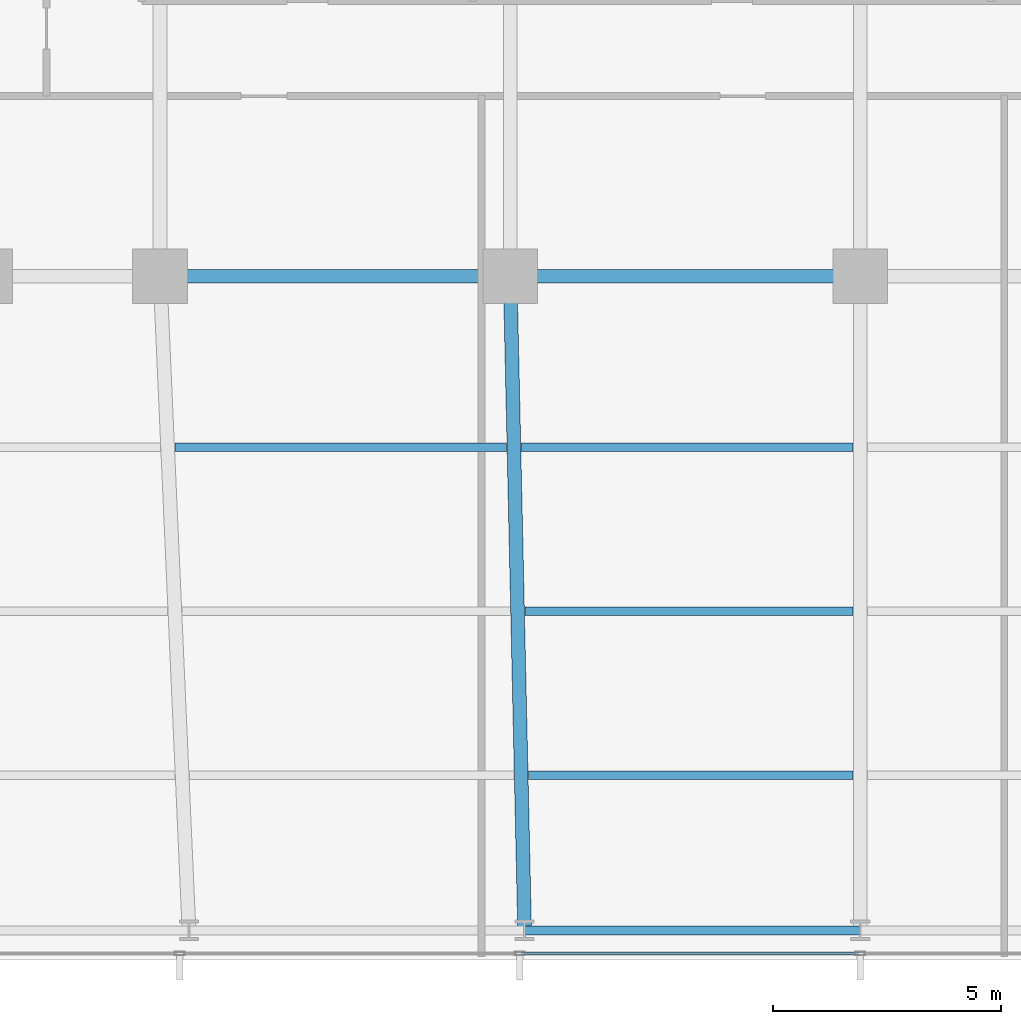
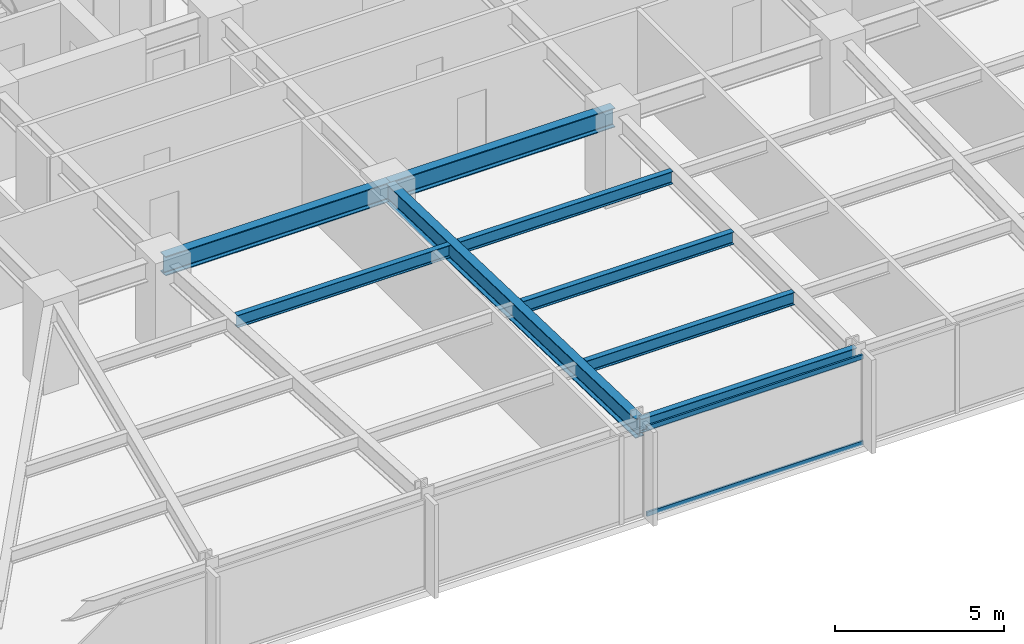
# One storey, part 6 of 32: 8 beams, 2 members, 1 element without a shape of its own.
"""IFC4 building model written with IfcOpenShell, lengths in metres."""

from ifc_helpers import new_model, si_unit, direction, frame, origin, origin_2d, place, context, subcontext, project, spatial, hollow_rectangle, i_section, extrude, material, material_profile, profile_set, type_object, element, aggregate, save


model = new_model("IFC4")

# Units and contexts
model_context = context("Model", 3, precision=1e-05, world=origin(), true_north=direction((0.0, 1.0)))
body_context = subcontext(model_context, "Body", "Model", "MODEL_VIEW")
ifc_project = project(units=[si_unit("LENGTHUNIT", "METRE"), si_unit("AREAUNIT", "SQUARE_METRE"), si_unit("VOLUMEUNIT", "CUBIC_METRE"), si_unit("PLANEANGLEUNIT", "RADIAN"), si_unit("MASSUNIT", "GRAM", prefix="KILO")], contexts=[model_context])

# Site, building, storey
site_placement = place(None, origin())
site = spatial("IfcSite", under=ifc_project, at=site_placement, CompositionType="ELEMENT")
building_placement = place(site_placement, origin())
building = spatial("IfcBuilding", under=site, at=building_placement, Name="Yelkora Congress Tower", CompositionType="ELEMENT")
storey_placement = place(building_placement, frame((0.0, 0.0, 67.800048828125)))
storey = spatial("IfcBuildingStorey", under=building, at=storey_placement, Name="L17", CompositionType="ELEMENT", Elevation=67.800048828125)

# Beams
ifc_material_1 = material(Name="Steel S355J2", Category="steel")
ifc_material_profile_1 = material_profile(ifc_material_1, i_section(OverallWidth=0.300048828125, OverallDepth=0.699951171875, WebThickness=0.01708984375, FlangeThickness=0.031982421875, FilletRadius=0.027099609375, at=origin_2d()), Name="HEB 700")
ifc_profile_set_1 = profile_set([ifc_material_profile_1], Name="Steel S355J2")
beam_type_1 = type_object("IfcBeamType", Name="BM-GIRD-HEB700", PredefinedType="BEAM", material=ifc_profile_set_1)
for number, where, z_axis, x_axis, name in (
    (1, (23.0400390625, 25.199951171875, 2.829833984375), (1.0, 0.0, 0.0), (0.0, 1.0, 0.0), "L17 Spine Grid D Girder 2"),
    (2, (30.719970703125, 25.199951171875, 2.829833984375), (1.0, 0.0, 0.0), (0.0, 1.0, 0.0), "L17 Spine Grid D Girder 3"),
):
    element("IfcBeam", number, at=place(storey_placement, frame(where, z_axis=z_axis, x_axis=x_axis)), inside=storey, type_object=beam_type_1, Name=name, PredefinedType="BEAM", context=body_context, shape_type="SweptSolid", body=[
        extrude(i_section(OverallWidth=0.300048828125, OverallDepth=0.699951171875, WebThickness=0.01708984375, FlangeThickness=0.031982421875, FilletRadius=0.027099609375, at=origin_2d()), origin(), (0.0, 0.0, 1.0), 7.679931640625),
    ])
beam_1_placement = place(storey_placement, frame((31.03759765625, 10.85009765625, 2.829833984375), z_axis=(-0.022129088136, 0.999755121746, 0.0), x_axis=(-0.999755121746, -0.022129088136, 0.0)))
element("IfcBeam", 3, at=beam_1_placement, inside=storey, type_object=beam_type_1, Name="L17 Primary Frame Girder S04", PredefinedType="BEAM", context=body_context, shape_type="SweptSolid", body=[
    extrude(i_section(OverallWidth=0.300048828125, OverallDepth=0.699951171875, WebThickness=0.01708984375, FlangeThickness=0.031982421875, FilletRadius=0.027099609375, at=origin_2d()), origin(), (0.0, 0.0, 1.0), 14.353271484375),
])
ifc_material_profile_2 = material_profile(ifc_material_1, i_section(OverallWidth=0.18994140625, OverallDepth=0.449951171875, WebThickness=0.009521484375, FlangeThickness=0.0146484375, FilletRadius=0.02099609375, at=origin_2d()), Name="IPE 450")
ifc_profile_set_2 = profile_set([ifc_material_profile_2], Name="Steel S355J2")
beam_type_2 = type_object("IfcBeamType", Name="BM-JOIST-IPE450", PredefinedType="JOIST", material=ifc_profile_set_2)
beam_2_placement = place(storey_placement, frame((31.122314453125, 14.25, 2.954833984375), z_axis=(1.0, 0.0, 0.0), x_axis=(0.0, 1.0, 0.0)))
element("IfcBeam", 4, at=beam_2_placement, inside=storey, type_object=beam_type_2, Name="L17 Composite Floor Joist 4", PredefinedType="JOIST", context=body_context, shape_type="SweptSolid", body=[
    extrude(i_section(OverallWidth=0.18994140625, OverallDepth=0.449951171875, WebThickness=0.009521484375, FlangeThickness=0.0146484375, FilletRadius=0.02099609375, at=origin_2d()), origin(), (0.0, 0.0, 1.0), 7.11767578125),
])
beam_3_placement = place(storey_placement, frame((31.04248046875, 17.85009765625, 2.954833984375), z_axis=(1.0, 0.0, 0.0), x_axis=(0.0, 1.0, 0.0)))
element("IfcBeam", 5, at=beam_3_placement, inside=storey, type_object=beam_type_2, Name="L17 Composite Floor Joist 12", PredefinedType="JOIST", context=body_context, shape_type="SweptSolid", body=[
    extrude(i_section(OverallWidth=0.18994140625, OverallDepth=0.449951171875, WebThickness=0.009521484375, FlangeThickness=0.0146484375, FilletRadius=0.02099609375, at=origin_2d()), origin(), (0.0, 0.0, 1.0), 7.197509765625),
])
for number, where, z_axis, x_axis, name in (
    (6, (23.365966796875, 21.449951171875, 2.954833984375), (1.0, 0.0, 0.0), (0.0, 1.0, 0.0), "L17 Composite Floor Joist 18"),
    (7, (30.962890625, 21.449951171875, 2.954833984375), (1.0, 0.0, 0.0), (0.0, 1.0, 0.0), "L17 Composite Floor Joist 19"),
):
    element("IfcBeam", number, at=place(storey_placement, frame(where, z_axis=z_axis, x_axis=x_axis)), inside=storey, type_object=beam_type_2, Name=name, PredefinedType="JOIST", context=body_context, shape_type="SweptSolid", body=[
        extrude(i_section(OverallWidth=0.18994140625, OverallDepth=0.449951171875, WebThickness=0.009521484375, FlangeThickness=0.0146484375, FilletRadius=0.02099609375, at=origin_2d()), origin(), (0.0, 0.0, 1.0), 7.277099609375),
    ])
ifc_material_profile_3 = material_profile(ifc_material_1, i_section(OverallWidth=0.199951171875, OverallDepth=0.5, WebThickness=0.01025390625, FlangeThickness=0.01611328125, FilletRadius=0.02099609375, at=origin_2d()), Name="IPE 500")
ifc_profile_set_3 = profile_set([ifc_material_profile_3], Name="Steel S355J2")
beam_type_3 = type_object("IfcBeamType", Name="BM-SPAN-IPE500", PredefinedType="SPANDREL", material=ifc_profile_set_3)
beam_4_placement = place(storey_placement, frame((31.03759765625, 10.85009765625, 2.929931640625), z_axis=(1.0, 0.0, 0.0), x_axis=(0.0, 1.0, 0.0)))
element("IfcBeam", 8, at=beam_4_placement, inside=storey, type_object=beam_type_3, Name="L17 Perimeter Beam 5", PredefinedType="SPANDREL", context=body_context, shape_type="SweptSolid", body=[
    extrude(i_section(OverallWidth=0.199951171875, OverallDepth=0.5, WebThickness=0.01025390625, FlangeThickness=0.01611328125, FilletRadius=0.02099609375, at=origin_2d()), origin(), (0.0, 0.0, 1.0), 7.3623046875),
])

# Curtain wall, members
ifc_material_2 = material(Name="Anodised aluminium and insulated glass", Category="aluminium")
curtain_wall_type = type_object("IfcCurtainWallType", Name="CW-SYS-B1", PredefinedType="NOTDEFINED", material=ifc_material_2)
curtain_wall_placement = place(storey_placement, origin())
curtain_wall = element("IfcCurtainWall", 9, at=curtain_wall_placement, inside=storey, type_object=curtain_wall_type, Name="L17 Unitised Curtain Wall 20", PredefinedType="NOTDEFINED")
ifc_material_3 = material(Name="Anodised aluminium 6063-T6", Category="aluminium")
ifc_material_profile_4 = material_profile(ifc_material_3, hollow_rectangle(XDim=0.06494140625, YDim=0.159912109375, WallThickness=0.00390625, at=origin_2d()), Name="ALU 65x160x4")
ifc_profile_set_4 = profile_set([ifc_material_profile_4], Name="Anodised aluminium 6063-T6")
member_type = type_object("IfcMemberType", Name="MEM-TR-B1", PredefinedType="USERDEFINED", material=ifc_profile_set_4)
member_1_placement = place(storey_placement, frame((38.362548828125, 10.340087890625, 0.032470703125), z_axis=(-1.0, 0.0, 0.0), x_axis=(0.0, -1.0, 0.0)))
member_1 = element("IfcMember", 10, at=member_1_placement, type_object=member_type, Name="CW-B1 transom 5.1", ObjectType="TRANSOM", PredefinedType="USERDEFINED", context=body_context, shape_type="SweptSolid", body=[
    extrude(hollow_rectangle(XDim=0.06494140625, YDim=0.159912109375, WallThickness=0.00390625, at=origin_2d()), origin(), (0.0, 0.0, 1.0), 7.39013671875),
])
member_2_placement = place(storey_placement, frame((38.362548828125, 10.340087890625, 3.1474609375), z_axis=(-1.0, 0.0, 0.0), x_axis=(0.0, -1.0, 0.0)))
member_2 = element("IfcMember", 11, at=member_2_placement, type_object=member_type, Name="CW-B1 transom 5.2", ObjectType="TRANSOM", PredefinedType="USERDEFINED", context=body_context, shape_type="SweptSolid", body=[
    extrude(hollow_rectangle(XDim=0.06494140625, YDim=0.159912109375, WallThickness=0.00390625, at=origin_2d()), origin(), (0.0, 0.0, 1.0), 7.39013671875),
])
aggregate(curtain_wall, [member_1, member_2])

save(model, "model.ifc")
